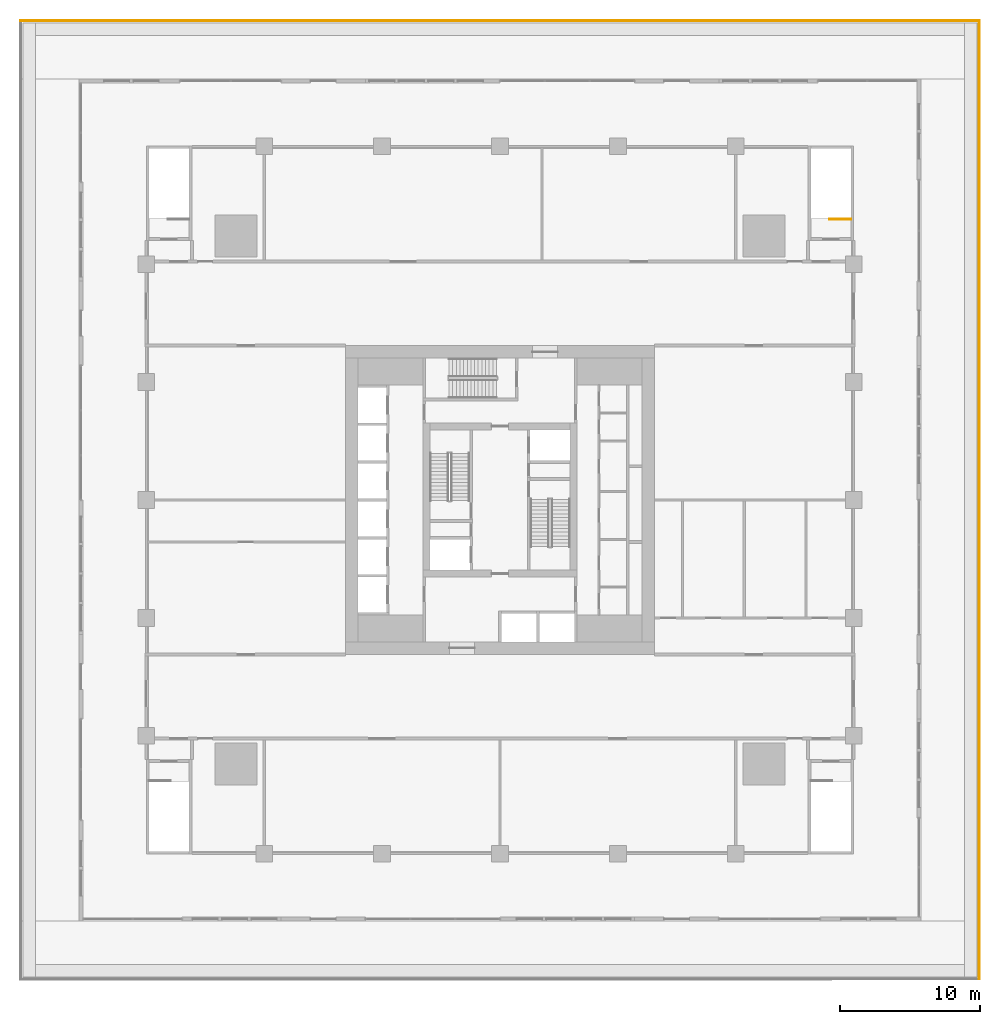
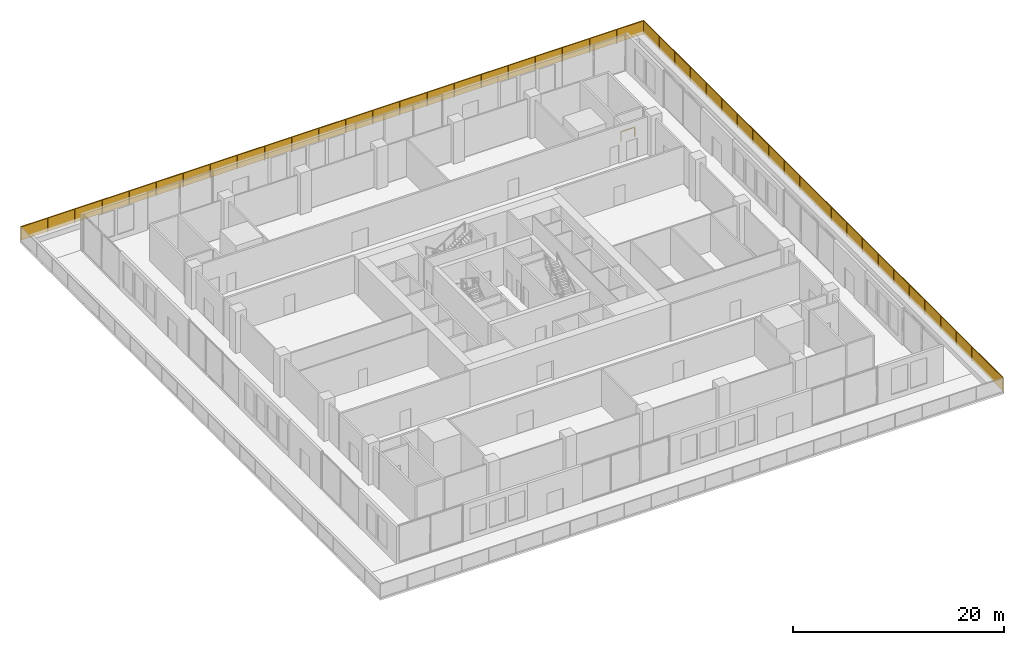
# One storey, part 22 of 22: 3 railings.
"""IFC4 building model written with IfcOpenShell, lengths in metres."""

from ifc_helpers import new_model, si_unit, direction, frame, origin, origin_2d, place, context, subcontext, project, spatial, rectangle, extrude, material, type_object, element, save


model = new_model("IFC4")

# Units and contexts
model_context = context("Model", 3, precision=1e-05, world=origin(), true_north=direction((0.0, 1.0)))
body_context = subcontext(model_context, "Body", "Model", "MODEL_VIEW")
ifc_project = project(units=[si_unit("LENGTHUNIT", "METRE"), si_unit("AREAUNIT", "SQUARE_METRE"), si_unit("VOLUMEUNIT", "CUBIC_METRE"), si_unit("PLANEANGLEUNIT", "RADIAN"), si_unit("MASSUNIT", "GRAM", prefix="KILO")], contexts=[model_context])

# Site, building, storey
site_placement = place(None, origin())
site = spatial("IfcSite", under=ifc_project, at=site_placement, CompositionType="ELEMENT")
building_placement = place(site_placement, origin())
building = spatial("IfcBuilding", under=site, at=building_placement, Name="Khepri Terraces", CompositionType="ELEMENT")
storey_placement = place(building_placement, frame((0.0, 0.0, 22.199951171875)))
storey = spatial("IfcBuildingStorey", under=building, at=storey_placement, Name="L04", CompositionType="ELEMENT", Elevation=22.199951171875)

# Railings
ifc_material_1 = material(Name="Stainless steel grade 316", Category="steel")
railing_type_1 = type_object("IfcRailingType", Name="GRD-TERR-1700", PredefinedType="GUARDRAIL", material=ifc_material_1)
railing_1_placement = place(storey_placement, frame((-34.14990234375, 34.14990234375, 0.0)))
element("IfcRailing", 1, at=railing_1_placement, inside=storey, type_object=railing_type_1, Name="Terrace guard L04", PredefinedType="GUARDRAIL", context=body_context, shape_type="SweptSolid", body=[
    extrude(rectangle(XDim=0.050048828125, YDim=0.06005859375, at=origin_2d()), frame((0.0, 0.0, 1.669921875), z_axis=(1.0, 0.0, 0.0), x_axis=(0.0, 1.0, 0.0)), (0.0, 0.0, 1.0), 68.2998046875),
    extrude(rectangle(XDim=2.91943359375, YDim=0.011962890625, at=origin_2d()), frame((1.48486328125, 0.0, 0.10009765625), z_axis=(0.0, 0.0, 1.0), x_axis=(1.0, 0.0, 0.0)), (0.0, 0.0, 1.0), 1.539794921875),
    extrude(rectangle(XDim=2.91943359375, YDim=0.011962890625, at=origin_2d()), frame((4.454345703125, 0.0, 0.10009765625), z_axis=(0.0, 0.0, 1.0), x_axis=(1.0, 0.0, 0.0)), (0.0, 0.0, 1.0), 1.539794921875),
    extrude(rectangle(XDim=2.91943359375, YDim=0.011962890625, at=origin_2d()), frame((7.423828125, 0.0, 0.10009765625), z_axis=(0.0, 0.0, 1.0), x_axis=(1.0, 0.0, 0.0)), (0.0, 0.0, 1.0), 1.539794921875),
    extrude(rectangle(XDim=2.91943359375, YDim=0.011962890625, at=origin_2d()), frame((10.3935546875, 0.0, 0.10009765625), z_axis=(0.0, 0.0, 1.0), x_axis=(1.0, 0.0, 0.0)), (0.0, 0.0, 1.0), 1.539794921875),
    extrude(rectangle(XDim=2.91943359375, YDim=0.011962890625, at=origin_2d()), frame((13.363037109375, 0.0, 0.10009765625), z_axis=(0.0, 0.0, 1.0), x_axis=(1.0, 0.0, 0.0)), (0.0, 0.0, 1.0), 1.539794921875),
    extrude(rectangle(XDim=2.91943359375, YDim=0.011962890625, at=origin_2d()), frame((16.33251953125, 0.0, 0.10009765625), z_axis=(0.0, 0.0, 1.0), x_axis=(1.0, 0.0, 0.0)), (0.0, 0.0, 1.0), 1.539794921875),
    extrude(rectangle(XDim=2.91943359375, YDim=0.011962890625, at=origin_2d()), frame((19.302001953125, 0.0, 0.10009765625), z_axis=(0.0, 0.0, 1.0), x_axis=(1.0, 0.0, 0.0)), (0.0, 0.0, 1.0), 1.539794921875),
    extrude(rectangle(XDim=2.91943359375, YDim=0.011962890625, at=origin_2d()), frame((22.271728515625, 0.0, 0.10009765625), z_axis=(0.0, 0.0, 1.0), x_axis=(1.0, 0.0, 0.0)), (0.0, 0.0, 1.0), 1.539794921875),
    extrude(rectangle(XDim=2.91943359375, YDim=0.011962890625, at=origin_2d()), frame((25.2412109375, 0.0, 0.10009765625), z_axis=(0.0, 0.0, 1.0), x_axis=(1.0, 0.0, 0.0)), (0.0, 0.0, 1.0), 1.539794921875),
    extrude(rectangle(XDim=2.91943359375, YDim=0.011962890625, at=origin_2d()), frame((28.210693359375, 0.0, 0.10009765625), z_axis=(0.0, 0.0, 1.0), x_axis=(1.0, 0.0, 0.0)), (0.0, 0.0, 1.0), 1.539794921875),
    extrude(rectangle(XDim=2.91943359375, YDim=0.011962890625, at=origin_2d()), frame((31.180419921875, 0.0, 0.10009765625), z_axis=(0.0, 0.0, 1.0), x_axis=(1.0, 0.0, 0.0)), (0.0, 0.0, 1.0), 1.539794921875),
    extrude(rectangle(XDim=2.91943359375, YDim=0.011962890625, at=origin_2d()), frame((34.14990234375, 0.0, 0.10009765625), z_axis=(0.0, 0.0, 1.0), x_axis=(1.0, 0.0, 0.0)), (0.0, 0.0, 1.0), 1.539794921875),
    extrude(rectangle(XDim=2.91943359375, YDim=0.011962890625, at=origin_2d()), frame((37.119384765625, 0.0, 0.10009765625), z_axis=(0.0, 0.0, 1.0), x_axis=(1.0, 0.0, 0.0)), (0.0, 0.0, 1.0), 1.539794921875),
    extrude(rectangle(XDim=2.91943359375, YDim=0.011962890625, at=origin_2d()), frame((40.089111328125, 0.0, 0.10009765625), z_axis=(0.0, 0.0, 1.0), x_axis=(1.0, 0.0, 0.0)), (0.0, 0.0, 1.0), 1.539794921875),
    extrude(rectangle(XDim=2.91943359375, YDim=0.011962890625, at=origin_2d()), frame((43.05859375, 0.0, 0.10009765625), z_axis=(0.0, 0.0, 1.0), x_axis=(1.0, 0.0, 0.0)), (0.0, 0.0, 1.0), 1.539794921875),
    extrude(rectangle(XDim=2.91943359375, YDim=0.011962890625, at=origin_2d()), frame((46.028076171875, 0.0, 0.10009765625), z_axis=(0.0, 0.0, 1.0), x_axis=(1.0, 0.0, 0.0)), (0.0, 0.0, 1.0), 1.539794921875),
    extrude(rectangle(XDim=2.91943359375, YDim=0.011962890625, at=origin_2d()), frame((48.997802734375, 0.0, 0.10009765625), z_axis=(0.0, 0.0, 1.0), x_axis=(1.0, 0.0, 0.0)), (0.0, 0.0, 1.0), 1.539794921875),
    extrude(rectangle(XDim=2.91943359375, YDim=0.011962890625, at=origin_2d()), frame((51.96728515625, 0.0, 0.10009765625), z_axis=(0.0, 0.0, 1.0), x_axis=(1.0, 0.0, 0.0)), (0.0, 0.0, 1.0), 1.539794921875),
    extrude(rectangle(XDim=2.91943359375, YDim=0.011962890625, at=origin_2d()), frame((54.936767578125, 0.0, 0.10009765625), z_axis=(0.0, 0.0, 1.0), x_axis=(1.0, 0.0, 0.0)), (0.0, 0.0, 1.0), 1.539794921875),
    extrude(rectangle(XDim=2.91943359375, YDim=0.011962890625, at=origin_2d()), frame((57.90625, 0.0, 0.10009765625), z_axis=(0.0, 0.0, 1.0), x_axis=(1.0, 0.0, 0.0)), (0.0, 0.0, 1.0), 1.539794921875),
    extrude(rectangle(XDim=2.91943359375, YDim=0.011962890625, at=origin_2d()), frame((60.8759765625, 0.0, 0.10009765625), z_axis=(0.0, 0.0, 1.0), x_axis=(1.0, 0.0, 0.0)), (0.0, 0.0, 1.0), 1.539794921875),
    extrude(rectangle(XDim=2.91943359375, YDim=0.011962890625, at=origin_2d()), frame((63.845458984375, 0.0, 0.10009765625), z_axis=(0.0, 0.0, 1.0), x_axis=(1.0, 0.0, 0.0)), (0.0, 0.0, 1.0), 1.539794921875),
    extrude(rectangle(XDim=2.91943359375, YDim=0.011962890625, at=origin_2d()), frame((66.81494140625, 0.0, 0.10009765625), z_axis=(0.0, 0.0, 1.0), x_axis=(1.0, 0.0, 0.0)), (0.0, 0.0, 1.0), 1.539794921875),
    extrude(rectangle(XDim=0.050048828125, YDim=0.050048828125, at=origin_2d()), origin(), (0.0, 0.0, 1.0), 1.639892578125),
    extrude(rectangle(XDim=0.050048828125, YDim=0.050048828125, at=origin_2d()), frame((2.969482421875, 0.0, 0.0)), (0.0, 0.0, 1.0), 1.639892578125),
    extrude(rectangle(XDim=0.050048828125, YDim=0.050048828125, at=origin_2d()), frame((5.939208984375, 0.0, 0.0)), (0.0, 0.0, 1.0), 1.639892578125),
    extrude(rectangle(XDim=0.050048828125, YDim=0.050048828125, at=origin_2d()), frame((8.90869140625, 0.0, 0.0)), (0.0, 0.0, 1.0), 1.639892578125),
    extrude(rectangle(XDim=0.050048828125, YDim=0.050048828125, at=origin_2d()), frame((11.878173828125, 0.0, 0.0)), (0.0, 0.0, 1.0), 1.639892578125),
    extrude(rectangle(XDim=0.050048828125, YDim=0.050048828125, at=origin_2d()), frame((14.847900390625, 0.0, 0.0)), (0.0, 0.0, 1.0), 1.639892578125),
    extrude(rectangle(XDim=0.050048828125, YDim=0.050048828125, at=origin_2d()), frame((17.8173828125, 0.0, 0.0)), (0.0, 0.0, 1.0), 1.639892578125),
    extrude(rectangle(XDim=0.050048828125, YDim=0.050048828125, at=origin_2d()), frame((20.786865234375, 0.0, 0.0)), (0.0, 0.0, 1.0), 1.639892578125),
    extrude(rectangle(XDim=0.050048828125, YDim=0.050048828125, at=origin_2d()), frame((23.75634765625, 0.0, 0.0)), (0.0, 0.0, 1.0), 1.639892578125),
    extrude(rectangle(XDim=0.050048828125, YDim=0.050048828125, at=origin_2d()), frame((26.72607421875, 0.0, 0.0)), (0.0, 0.0, 1.0), 1.639892578125),
    extrude(rectangle(XDim=0.050048828125, YDim=0.050048828125, at=origin_2d()), frame((29.695556640625, 0.0, 0.0)), (0.0, 0.0, 1.0), 1.639892578125),
    extrude(rectangle(XDim=0.050048828125, YDim=0.050048828125, at=origin_2d()), frame((32.6650390625, 0.0, 0.0)), (0.0, 0.0, 1.0), 1.639892578125),
    extrude(rectangle(XDim=0.050048828125, YDim=0.050048828125, at=origin_2d()), frame((35.634765625, 0.0, 0.0)), (0.0, 0.0, 1.0), 1.639892578125),
    extrude(rectangle(XDim=0.050048828125, YDim=0.050048828125, at=origin_2d()), frame((38.604248046875, 0.0, 0.0)), (0.0, 0.0, 1.0), 1.639892578125),
    extrude(rectangle(XDim=0.050048828125, YDim=0.050048828125, at=origin_2d()), frame((41.57373046875, 0.0, 0.0)), (0.0, 0.0, 1.0), 1.639892578125),
    extrude(rectangle(XDim=0.050048828125, YDim=0.050048828125, at=origin_2d()), frame((44.54345703125, 0.0, 0.0)), (0.0, 0.0, 1.0), 1.639892578125),
    extrude(rectangle(XDim=0.050048828125, YDim=0.050048828125, at=origin_2d()), frame((47.512939453125, 0.0, 0.0)), (0.0, 0.0, 1.0), 1.639892578125),
    extrude(rectangle(XDim=0.050048828125, YDim=0.050048828125, at=origin_2d()), frame((50.482421875, 0.0, 0.0)), (0.0, 0.0, 1.0), 1.639892578125),
    extrude(rectangle(XDim=0.050048828125, YDim=0.050048828125, at=origin_2d()), frame((53.451904296875, 0.0, 0.0)), (0.0, 0.0, 1.0), 1.639892578125),
    extrude(rectangle(XDim=0.050048828125, YDim=0.050048828125, at=origin_2d()), frame((56.421630859375, 0.0, 0.0)), (0.0, 0.0, 1.0), 1.639892578125),
    extrude(rectangle(XDim=0.050048828125, YDim=0.050048828125, at=origin_2d()), frame((59.39111328125, 0.0, 0.0)), (0.0, 0.0, 1.0), 1.639892578125),
    extrude(rectangle(XDim=0.050048828125, YDim=0.050048828125, at=origin_2d()), frame((62.360595703125, 0.0, 0.0)), (0.0, 0.0, 1.0), 1.639892578125),
    extrude(rectangle(XDim=0.050048828125, YDim=0.050048828125, at=origin_2d()), frame((65.330322265625, 0.0, 0.0)), (0.0, 0.0, 1.0), 1.639892578125),
    extrude(rectangle(XDim=0.050048828125, YDim=0.050048828125, at=origin_2d()), frame((68.2998046875, 0.0, 0.0)), (0.0, 0.0, 1.0), 1.639892578125),
])
railing_2_placement = place(storey_placement, frame((34.14990234375, 34.14990234375, 0.0)))
element("IfcRailing", 2, at=railing_2_placement, inside=storey, type_object=railing_type_1, Name="Terrace guard L04", PredefinedType="GUARDRAIL", context=body_context, shape_type="SweptSolid", body=[
    extrude(rectangle(XDim=0.050048828125, YDim=0.06005859375, at=origin_2d()), frame((0.0, 0.0, 1.669921875), z_axis=(0.0, -1.0, 0.0), x_axis=(1.0, 0.0, 0.0)), (0.0, 0.0, 1.0), 68.2998046875),
    extrude(rectangle(XDim=2.91943359375, YDim=0.011962890625, at=origin_2d()), frame((0.0, -1.48486328125, 0.10009765625), z_axis=(0.0, 0.0, 1.0), x_axis=(0.0, -1.0, 0.0)), (0.0, 0.0, 1.0), 1.539794921875),
    extrude(rectangle(XDim=2.91943359375, YDim=0.011962890625, at=origin_2d()), frame((0.0, -4.454345703125, 0.10009765625), z_axis=(0.0, 0.0, 1.0), x_axis=(0.0, -1.0, 0.0)), (0.0, 0.0, 1.0), 1.539794921875),
    extrude(rectangle(XDim=2.91943359375, YDim=0.011962890625, at=origin_2d()), frame((0.0, -7.423828125, 0.10009765625), z_axis=(0.0, 0.0, 1.0), x_axis=(0.0, -1.0, 0.0)), (0.0, 0.0, 1.0), 1.539794921875),
    extrude(rectangle(XDim=2.91943359375, YDim=0.011962890625, at=origin_2d()), frame((0.0, -10.3935546875, 0.10009765625), z_axis=(0.0, 0.0, 1.0), x_axis=(0.0, -1.0, 0.0)), (0.0, 0.0, 1.0), 1.539794921875),
    extrude(rectangle(XDim=2.91943359375, YDim=0.011962890625, at=origin_2d()), frame((0.0, -13.363037109375, 0.10009765625), z_axis=(0.0, 0.0, 1.0), x_axis=(0.0, -1.0, 0.0)), (0.0, 0.0, 1.0), 1.539794921875),
    extrude(rectangle(XDim=2.91943359375, YDim=0.011962890625, at=origin_2d()), frame((0.0, -16.33251953125, 0.10009765625), z_axis=(0.0, 0.0, 1.0), x_axis=(0.0, -1.0, 0.0)), (0.0, 0.0, 1.0), 1.539794921875),
    extrude(rectangle(XDim=2.91943359375, YDim=0.011962890625, at=origin_2d()), frame((0.0, -19.302001953125, 0.10009765625), z_axis=(0.0, 0.0, 1.0), x_axis=(0.0, -1.0, 0.0)), (0.0, 0.0, 1.0), 1.539794921875),
    extrude(rectangle(XDim=2.91943359375, YDim=0.011962890625, at=origin_2d()), frame((0.0, -22.271728515625, 0.10009765625), z_axis=(0.0, 0.0, 1.0), x_axis=(0.0, -1.0, 0.0)), (0.0, 0.0, 1.0), 1.539794921875),
    extrude(rectangle(XDim=2.91943359375, YDim=0.011962890625, at=origin_2d()), frame((0.0, -25.2412109375, 0.10009765625), z_axis=(0.0, 0.0, 1.0), x_axis=(0.0, -1.0, 0.0)), (0.0, 0.0, 1.0), 1.539794921875),
    extrude(rectangle(XDim=2.91943359375, YDim=0.011962890625, at=origin_2d()), frame((0.0, -28.210693359375, 0.10009765625), z_axis=(0.0, 0.0, 1.0), x_axis=(0.0, -1.0, 0.0)), (0.0, 0.0, 1.0), 1.539794921875),
    extrude(rectangle(XDim=2.91943359375, YDim=0.011962890625, at=origin_2d()), frame((0.0, -31.180419921875, 0.10009765625), z_axis=(0.0, 0.0, 1.0), x_axis=(0.0, -1.0, 0.0)), (0.0, 0.0, 1.0), 1.539794921875),
    extrude(rectangle(XDim=2.91943359375, YDim=0.011962890625, at=origin_2d()), frame((0.0, -34.14990234375, 0.10009765625), z_axis=(0.0, 0.0, 1.0), x_axis=(0.0, -1.0, 0.0)), (0.0, 0.0, 1.0), 1.539794921875),
    extrude(rectangle(XDim=2.91943359375, YDim=0.011962890625, at=origin_2d()), frame((0.0, -37.119384765625, 0.10009765625), z_axis=(0.0, 0.0, 1.0), x_axis=(0.0, -1.0, 0.0)), (0.0, 0.0, 1.0), 1.539794921875),
    extrude(rectangle(XDim=2.91943359375, YDim=0.011962890625, at=origin_2d()), frame((0.0, -40.089111328125, 0.10009765625), z_axis=(0.0, 0.0, 1.0), x_axis=(0.0, -1.0, 0.0)), (0.0, 0.0, 1.0), 1.539794921875),
    extrude(rectangle(XDim=2.91943359375, YDim=0.011962890625, at=origin_2d()), frame((0.0, -43.05859375, 0.10009765625), z_axis=(0.0, 0.0, 1.0), x_axis=(0.0, -1.0, 0.0)), (0.0, 0.0, 1.0), 1.539794921875),
    extrude(rectangle(XDim=2.91943359375, YDim=0.011962890625, at=origin_2d()), frame((0.0, -46.028076171875, 0.10009765625), z_axis=(0.0, 0.0, 1.0), x_axis=(0.0, -1.0, 0.0)), (0.0, 0.0, 1.0), 1.539794921875),
    extrude(rectangle(XDim=2.91943359375, YDim=0.011962890625, at=origin_2d()), frame((0.0, -48.997802734375, 0.10009765625), z_axis=(0.0, 0.0, 1.0), x_axis=(0.0, -1.0, 0.0)), (0.0, 0.0, 1.0), 1.539794921875),
    extrude(rectangle(XDim=2.91943359375, YDim=0.011962890625, at=origin_2d()), frame((0.0, -51.96728515625, 0.10009765625), z_axis=(0.0, 0.0, 1.0), x_axis=(0.0, -1.0, 0.0)), (0.0, 0.0, 1.0), 1.539794921875),
    extrude(rectangle(XDim=2.91943359375, YDim=0.011962890625, at=origin_2d()), frame((0.0, -54.936767578125, 0.10009765625), z_axis=(0.0, 0.0, 1.0), x_axis=(0.0, -1.0, 0.0)), (0.0, 0.0, 1.0), 1.539794921875),
    extrude(rectangle(XDim=2.91943359375, YDim=0.011962890625, at=origin_2d()), frame((0.0, -57.90625, 0.10009765625), z_axis=(0.0, 0.0, 1.0), x_axis=(0.0, -1.0, 0.0)), (0.0, 0.0, 1.0), 1.539794921875),
    extrude(rectangle(XDim=2.91943359375, YDim=0.011962890625, at=origin_2d()), frame((0.0, -60.8759765625, 0.10009765625), z_axis=(0.0, 0.0, 1.0), x_axis=(0.0, -1.0, 0.0)), (0.0, 0.0, 1.0), 1.539794921875),
    extrude(rectangle(XDim=2.91943359375, YDim=0.011962890625, at=origin_2d()), frame((0.0, -63.845458984375, 0.10009765625), z_axis=(0.0, 0.0, 1.0), x_axis=(0.0, -1.0, 0.0)), (0.0, 0.0, 1.0), 1.539794921875),
    extrude(rectangle(XDim=2.91943359375, YDim=0.011962890625, at=origin_2d()), frame((0.0, -66.81494140625, 0.10009765625), z_axis=(0.0, 0.0, 1.0), x_axis=(0.0, -1.0, 0.0)), (0.0, 0.0, 1.0), 1.539794921875),
    extrude(rectangle(XDim=0.050048828125, YDim=0.050048828125, at=origin_2d()), frame((0.0, -2.969482421875, 0.0)), (0.0, 0.0, 1.0), 1.639892578125),
    extrude(rectangle(XDim=0.050048828125, YDim=0.050048828125, at=origin_2d()), frame((0.0, -5.939208984375, 0.0)), (0.0, 0.0, 1.0), 1.639892578125),
    extrude(rectangle(XDim=0.050048828125, YDim=0.050048828125, at=origin_2d()), frame((0.0, -8.90869140625, 0.0)), (0.0, 0.0, 1.0), 1.639892578125),
    extrude(rectangle(XDim=0.050048828125, YDim=0.050048828125, at=origin_2d()), frame((0.0, -11.878173828125, 0.0)), (0.0, 0.0, 1.0), 1.639892578125),
    extrude(rectangle(XDim=0.050048828125, YDim=0.050048828125, at=origin_2d()), frame((0.0, -14.847900390625, 0.0)), (0.0, 0.0, 1.0), 1.639892578125),
    extrude(rectangle(XDim=0.050048828125, YDim=0.050048828125, at=origin_2d()), frame((0.0, -17.8173828125, 0.0)), (0.0, 0.0, 1.0), 1.639892578125),
    extrude(rectangle(XDim=0.050048828125, YDim=0.050048828125, at=origin_2d()), frame((0.0, -20.786865234375, 0.0)), (0.0, 0.0, 1.0), 1.639892578125),
    extrude(rectangle(XDim=0.050048828125, YDim=0.050048828125, at=origin_2d()), frame((0.0, -23.75634765625, 0.0)), (0.0, 0.0, 1.0), 1.639892578125),
    extrude(rectangle(XDim=0.050048828125, YDim=0.050048828125, at=origin_2d()), frame((0.0, -26.72607421875, 0.0)), (0.0, 0.0, 1.0), 1.639892578125),
    extrude(rectangle(XDim=0.050048828125, YDim=0.050048828125, at=origin_2d()), frame((0.0, -29.695556640625, 0.0)), (0.0, 0.0, 1.0), 1.639892578125),
    extrude(rectangle(XDim=0.050048828125, YDim=0.050048828125, at=origin_2d()), frame((0.0, -32.6650390625, 0.0)), (0.0, 0.0, 1.0), 1.639892578125),
    extrude(rectangle(XDim=0.050048828125, YDim=0.050048828125, at=origin_2d()), frame((0.0, -35.634765625, 0.0)), (0.0, 0.0, 1.0), 1.639892578125),
    extrude(rectangle(XDim=0.050048828125, YDim=0.050048828125, at=origin_2d()), frame((0.0, -38.604248046875, 0.0)), (0.0, 0.0, 1.0), 1.639892578125),
    extrude(rectangle(XDim=0.050048828125, YDim=0.050048828125, at=origin_2d()), frame((0.0, -41.57373046875, 0.0)), (0.0, 0.0, 1.0), 1.639892578125),
    extrude(rectangle(XDim=0.050048828125, YDim=0.050048828125, at=origin_2d()), frame((0.0, -44.54345703125, 0.0)), (0.0, 0.0, 1.0), 1.639892578125),
    extrude(rectangle(XDim=0.050048828125, YDim=0.050048828125, at=origin_2d()), frame((0.0, -47.512939453125, 0.0)), (0.0, 0.0, 1.0), 1.639892578125),
    extrude(rectangle(XDim=0.050048828125, YDim=0.050048828125, at=origin_2d()), frame((0.0, -50.482421875, 0.0)), (0.0, 0.0, 1.0), 1.639892578125),
    extrude(rectangle(XDim=0.050048828125, YDim=0.050048828125, at=origin_2d()), frame((0.0, -53.451904296875, 0.0)), (0.0, 0.0, 1.0), 1.639892578125),
    extrude(rectangle(XDim=0.050048828125, YDim=0.050048828125, at=origin_2d()), frame((0.0, -56.421630859375, 0.0)), (0.0, 0.0, 1.0), 1.639892578125),
    extrude(rectangle(XDim=0.050048828125, YDim=0.050048828125, at=origin_2d()), frame((0.0, -59.39111328125, 0.0)), (0.0, 0.0, 1.0), 1.639892578125),
    extrude(rectangle(XDim=0.050048828125, YDim=0.050048828125, at=origin_2d()), frame((0.0, -62.360595703125, 0.0)), (0.0, 0.0, 1.0), 1.639892578125),
    extrude(rectangle(XDim=0.050048828125, YDim=0.050048828125, at=origin_2d()), frame((0.0, -65.330322265625, 0.0)), (0.0, 0.0, 1.0), 1.639892578125),
    extrude(rectangle(XDim=0.050048828125, YDim=0.050048828125, at=origin_2d()), frame((0.0, -68.2998046875, 0.0)), (0.0, 0.0, 1.0), 1.639892578125),
])
ifc_material_2 = material(Name="Stainless steel 316", Category="steel")
railing_type_2 = type_object("IfcRailingType", Name="RL-POD-GUARD", PredefinedType="GUARDRAIL", material=ifc_material_2)
railing_3_placement = place(storey_placement, frame((25.0, 20.0, 0.0)))
element("IfcRailing", 3, at=railing_3_placement, inside=storey, type_object=railing_type_2, Name="L04 PS-1 top well guard 1", PredefinedType="GUARDRAIL", context=body_context, shape_type="SweptSolid", body=[
    extrude(rectangle(XDim=0.050048828125, YDim=0.06005859375, at=origin_2d()), frame((0.0, 0.0, 1.070068359375), z_axis=(-1.0, 0.0, 0.0), x_axis=(0.0, -1.0, 0.0)), (0.0, 0.0, 1.0), 1.5),
    extrude(rectangle(XDim=0.050048828125, YDim=0.050048828125, at=origin_2d()), origin(), (0.0, 0.0, 1.0), 1.0400390625),
    extrude(rectangle(XDim=0.050048828125, YDim=0.050048828125, at=origin_2d()), frame((-1.5, 0.0, 0.0)), (0.0, 0.0, 1.0), 1.0400390625),
])

save(model, "model.ifc")
